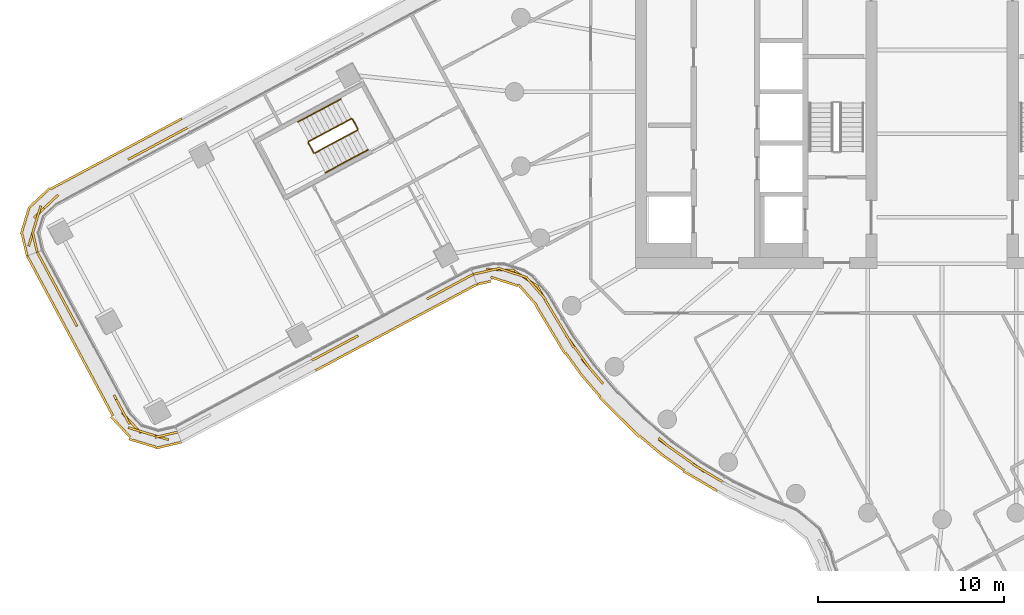
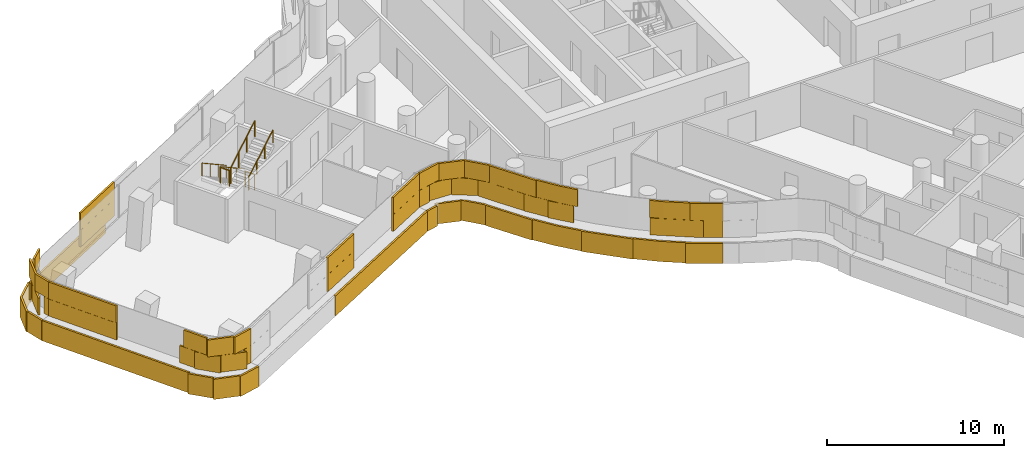
# One storey, part 27 of 33: 6 railings, 4 coverings.
"""IFC4 building model written with IfcOpenShell, lengths in metres."""

from ifc_helpers import new_model, si_unit, direction, frame, origin, origin_2d, place, context, subcontext, project, spatial, rectangle, circle, extrude, material, layer, layer_set, type_object, element, save


model = new_model("IFC4")

# Units and contexts
model_context = context("Model", 3, precision=1e-05, world=origin(), true_north=direction((0.0, 1.0)))
body_context = subcontext(model_context, "Body", "Model", "MODEL_VIEW")
ifc_project = project(units=[si_unit("LENGTHUNIT", "METRE"), si_unit("AREAUNIT", "SQUARE_METRE"), si_unit("VOLUMEUNIT", "CUBIC_METRE"), si_unit("PLANEANGLEUNIT", "RADIAN"), si_unit("MASSUNIT", "GRAM", prefix="KILO")], contexts=[model_context])

# Site, building, storey
site_placement = place(None, origin())
site = spatial("IfcSite", under=ifc_project, at=site_placement, CompositionType="ELEMENT")
building_placement = place(site_placement, origin())
building = spatial("IfcBuilding", under=site, at=building_placement, Name="Tamarind Cross Interchange Tower", CompositionType="ELEMENT")
storey_placement = place(building_placement, frame((0.0, 0.0, 136.75)))
storey = spatial("IfcBuildingStorey", under=building, at=storey_placement, Name="L33", CompositionType="ELEMENT", Elevation=136.75)

# Railings
ifc_material_1 = material(Name="Stair guard")
railing_type_1 = type_object("IfcRailingType", Name="Stair guard", PredefinedType="GUARDRAIL", material=ifc_material_1)
railing_1_placement = place(storey_placement, frame((-31.77880859375, -1.444091796875, 0.17041015625)))
element("IfcRailing", 1, at=railing_1_placement, inside=storey, type_object=railing_type_1, Name="L33 ST5 stair guard 1", PredefinedType="GUARDRAIL", context=body_context, shape_type="SweptSolid", body=[
    extrude(circle(Radius=0.02392578125, at=origin_2d()), frame((0.0, 0.0, 1.076171875), z_axis=(-0.73697387302, -0.395303833434, 0.548274009742), x_axis=(0.47268255552, -0.88123277385, 0.0)), (0.0, 0.0, 1.0), 3.109130859375),
    extrude(circle(Radius=0.02099609375, at=origin_2d()), origin(), (0.0, 0.0, 1.0), 1.052001953125),
    extrude(circle(Radius=0.02099609375, at=origin_2d()), frame((-0.763671875, -0.40966796875, 0.568115234375)), (0.0, 0.0, 1.0), 1.052001953125),
    extrude(circle(Radius=0.02099609375, at=origin_2d()), frame((-1.527587890625, -0.8193359375, 1.136474609375)), (0.0, 0.0, 1.0), 1.052001953125),
    extrude(circle(Radius=0.02099609375, at=origin_2d()), frame((-2.291259765625, -1.22900390625, 1.70458984375)), (0.0, 0.0, 1.0), 1.052001953125),
])
railing_2_placement = place(storey_placement, frame((-34.090576171875, -2.74072265625, 1.875)))
element("IfcRailing", 2, at=railing_2_placement, inside=storey, type_object=railing_type_1, Name="L33 ST5 stair guard 2", PredefinedType="GUARDRAIL", context=body_context, shape_type="SweptSolid", body=[
    extrude(circle(Radius=0.02392578125, at=origin_2d()), frame((0.0, 0.0, 1.076171875), z_axis=(0.472740658305, -0.881201605755, 0.0), x_axis=(0.881201605755, 0.472740658305, 0.0)), (0.0, 0.0, 1.0), 0.60009765625),
    extrude(circle(Radius=0.02099609375, at=origin_2d()), origin(), (0.0, 0.0, 1.0), 1.052001953125),
    extrude(circle(Radius=0.02099609375, at=origin_2d()), frame((0.28369140625, -0.52880859375, 0.0)), (0.0, 0.0, 1.0), 1.052001953125),
])
railing_3_placement = place(storey_placement, frame((-33.7392578125, -3.289794921875, 2.04541015625)))
element("IfcRailing", 3, at=railing_3_placement, inside=storey, type_object=railing_type_1, Name="L33 ST5 stair guard 3", PredefinedType="GUARDRAIL", context=body_context, shape_type="SweptSolid", body=[
    extrude(circle(Radius=0.02392578125, at=origin_2d()), frame((0.0, 0.0, 1.076171875), z_axis=(0.73697387302, 0.395303833434, 0.548274009742), x_axis=(-0.47268255552, 0.88123277385, 0.0)), (0.0, 0.0, 1.0), 3.109130859375),
    extrude(circle(Radius=0.02099609375, at=origin_2d()), origin(), (0.0, 0.0, 1.0), 1.052001953125),
    extrude(circle(Radius=0.02099609375, at=origin_2d()), frame((0.763671875, 0.40966796875, 0.568115234375)), (0.0, 0.0, 1.0), 1.052001953125),
    extrude(circle(Radius=0.02099609375, at=origin_2d()), frame((1.527587890625, 0.8193359375, 1.136474609375)), (0.0, 0.0, 1.0), 1.052001953125),
    extrude(circle(Radius=0.02099609375, at=origin_2d()), frame((2.291259765625, 1.22900390625, 1.70458984375)), (0.0, 0.0, 1.0), 1.052001953125),
])
railing_4_placement = place(storey_placement, frame((-31.711181640625, -1.46435546875, 0.0)))
element("IfcRailing", 4, at=railing_4_placement, inside=storey, type_object=railing_type_1, Name="L33 ST5 stair guard 4", PredefinedType="GUARDRAIL", context=body_context, shape_type="SweptSolid", body=[
    extrude(circle(Radius=0.02392578125, at=origin_2d()), frame((0.0, 0.0, 1.076171875), z_axis=(0.472740658305, -0.881201605755, 0.0), x_axis=(0.881201605755, 0.472740658305, 0.0)), (0.0, 0.0, 1.0), 0.60009765625),
    extrude(circle(Radius=0.02099609375, at=origin_2d()), origin(), (0.0, 0.0, 1.0), 1.052001953125),
    extrude(circle(Radius=0.02099609375, at=origin_2d()), frame((0.28369140625, -0.52880859375, 0.0)), (0.0, 0.0, 1.0), 1.052001953125),
])
ifc_material_2 = material(Name="Stair handrail")
railing_type_2 = type_object("IfcRailingType", Name="Stair handrail", PredefinedType="HANDRAIL", material=ifc_material_2)
railing_5_placement = place(storey_placement, frame((-32.34619140625, -0.386474609375, 0.17041015625)))
element("IfcRailing", 5, at=railing_5_placement, inside=storey, type_object=railing_type_2, Name="L33 ST5 stair handrail 1", PredefinedType="HANDRAIL", context=body_context, shape_type="SweptSolid", body=[
    extrude(circle(Radius=0.02392578125, at=origin_2d()), frame((0.0, 0.0, 0.8759765625), z_axis=(-0.73697387302, -0.395303833434, 0.548274009742), x_axis=(0.47268255552, -0.88123277385, 0.0)), (0.0, 0.0, 1.0), 3.109130859375),
    extrude(circle(Radius=0.02099609375, at=origin_2d()), origin(), (0.0, 0.0, 1.0), 0.851806640625),
    extrude(circle(Radius=0.02099609375, at=origin_2d()), frame((-0.763671875, -0.40966796875, 0.568115234375)), (0.0, 0.0, 1.0), 0.851806640625),
    extrude(circle(Radius=0.02099609375, at=origin_2d()), frame((-1.527587890625, -0.8193359375, 1.136474609375)), (0.0, 0.0, 1.0), 0.851806640625),
    extrude(circle(Radius=0.02099609375, at=origin_2d()), frame((-2.291259765625, -1.22900390625, 1.70458984375)), (0.0, 0.0, 1.0), 0.851806640625),
])
railing_6_placement = place(storey_placement, frame((-33.171875, -4.347412109375, 2.04541015625)))
element("IfcRailing", 6, at=railing_6_placement, inside=storey, type_object=railing_type_2, Name="L33 ST5 stair handrail 2", PredefinedType="HANDRAIL", context=body_context, shape_type="SweptSolid", body=[
    extrude(circle(Radius=0.02392578125, at=origin_2d()), frame((0.0, 0.0, 0.8759765625), z_axis=(0.736937993412, 0.395326711299, 0.548305740622), x_axis=(-0.472721670882, 0.881211791727, 0.0)), (0.0, 0.0, 1.0), 3.10888671875),
    extrude(circle(Radius=0.02099609375, at=origin_2d()), origin(), (0.0, 0.0, 1.0), 0.851806640625),
    extrude(circle(Radius=0.02099609375, at=origin_2d()), frame((0.763671875, 0.40966796875, 0.568115234375)), (0.0, 0.0, 1.0), 0.851806640625),
    extrude(circle(Radius=0.02099609375, at=origin_2d()), frame((1.52734375, 0.8193359375, 1.136474609375)), (0.0, 0.0, 1.0), 0.851806640625),
    extrude(circle(Radius=0.02099609375, at=origin_2d()), frame((2.291015625, 1.22900390625, 1.70458984375)), (0.0, 0.0, 1.0), 0.851806640625),
])

# Coverings
ifc_material_3 = material(Name="Terracotta", Category="masonry")
ifc_layer = layer(ifc_material_3, 0.1201171875)
ifc_layer_set = layer_set([ifc_layer], Name="Terracotta")
covering_type = type_object("IfcCoveringType", Name="Terracotta baguette screen unit", PredefinedType="MOLDING", material=ifc_layer_set)
covering_1_placement = place(storey_placement, origin())
element("IfcCovering", 7, at=covering_1_placement, inside=storey, type_object=covering_type, Name="SCR-L33-03-02", PredefinedType="MOLDING", context=body_context, shape_type="SweptSolid", body=[
    extrude(rectangle(XDim=0.606201171875, YDim=0.1201171875, at=origin_2d()), frame((-40.86474609375, -2.073486328125, 1.404052734375), z_axis=(0.0, 0.0, 1.0), x_axis=(-0.881224263054, -0.472698422046, 0.0)), (0.0, 0.0, 1.0), 1.1669921875),
    extrude(rectangle(XDim=1.52001953125, YDim=0.1201171875, at=origin_2d()), frame((-41.788330078125, -2.569091796875, 1.404052734375), z_axis=(0.0, 0.0, 1.0), x_axis=(-0.881224263054, -0.472698422046, 0.0)), (0.0, 0.0, 1.0), 1.1669921875),
    extrude(rectangle(XDim=1.52001953125, YDim=0.1201171875, at=origin_2d()), frame((-43.110107421875, -3.278076171875, 1.404052734375), z_axis=(0.0, 0.0, 1.0), x_axis=(-0.881224263054, -0.472698422046, 0.0)), (0.0, 0.0, 1.0), 1.1669921875),
    extrude(rectangle(XDim=1.52001953125, YDim=0.1201171875, at=origin_2d()), frame((-48.298095703125, -6.252685546875, 1.404052734375), z_axis=(0.0, 0.0, 1.0), x_axis=(-0.728853920221, -0.684669236185, 0.0)), (0.0, 0.0, 1.0), 1.1669921875),
    extrude(rectangle(XDim=1.52001953125, YDim=0.1201171875, at=origin_2d()), frame((-48.915771484375, -7.574462890625, 1.404052734375), z_axis=(0.0, 0.0, 1.0), x_axis=(-0.288871392467, -0.957367911837, 0.0)), (0.0, 0.0, 1.0), 1.1669921875),
    extrude(rectangle(XDim=0.33349609375, YDim=0.1201171875, at=origin_2d()), frame((-48.70849609375, -8.462158203125, 1.404052734375), z_axis=(0.0, 0.0, 1.0), x_axis=(0.228513991615, -0.973540628652, 0.0)), (0.0, 0.0, 1.0), 1.1669921875),
    extrude(rectangle(XDim=1.356201171875, YDim=0.1201171875, at=origin_2d()), frame((-41.195068359375, -2.2509765625, 2.5791015625), z_axis=(0.0, 0.0, 1.0), x_axis=(-0.881224263054, -0.472698422046, 0.0)), (0.0, 0.0, 1.0), 1.1669921875),
    extrude(rectangle(XDim=1.52001953125, YDim=0.1201171875, at=origin_2d()), frame((-42.44921875, -2.923583984375, 2.5791015625), z_axis=(0.0, 0.0, 1.0), x_axis=(-0.881224263054, -0.472698422046, 0.0)), (0.0, 0.0, 1.0), 1.1669921875),
    extrude(rectangle(XDim=0.773681640625, YDim=0.1201171875, at=origin_2d()), frame((-43.446533203125, -3.45849609375, 2.5791015625), z_axis=(0.0, 0.0, 1.0), x_axis=(-0.881224263054, -0.472698422046, 0.0)), (0.0, 0.0, 1.0), 1.1669921875),
    extrude(rectangle(XDim=1.04638671875, YDim=0.1201171875, at=origin_2d()), frame((-47.92041015625, -5.897705078125, 2.5791015625), z_axis=(0.0, 0.0, 1.0), x_axis=(-0.728853920221, -0.684669236185, 0.0)), (0.0, 0.0, 1.0), 1.1669921875),
    extrude(rectangle(XDim=1.52001953125, YDim=0.1201171875, at=origin_2d()), frame((-48.698974609375, -6.8564453125, 2.5791015625), z_axis=(0.0, 0.0, 1.0), x_axis=(-0.288871392467, -0.957367911837, 0.0)), (0.0, 0.0, 1.0), 1.1669921875),
    extrude(rectangle(XDim=1.08349609375, YDim=0.1201171875, at=origin_2d()), frame((-48.794189453125, -8.096923828125, 2.5791015625), z_axis=(0.0, 0.0, 1.0), x_axis=(0.228513991615, -0.973540628652, 0.0)), (0.0, 0.0, 1.0), 1.1669921875),
    extrude(rectangle(XDim=0.530517578125, YDim=0.1201171875, at=origin_2d()), frame((-41.140625, -1.5703125, 0.00390625), z_axis=(0.0, 0.0, 1.0), x_axis=(-0.881224263054, -0.472698422046, 0.0)), (0.0, 0.0, 1.0), 1.39208984375),
    extrude(rectangle(XDim=1.52001953125, YDim=0.1201171875, at=origin_2d()), frame((-42.026611328125, -2.04541015625, 0.00390625), z_axis=(0.0, 0.0, 1.0), x_axis=(-0.881224263054, -0.472698422046, 0.0)), (0.0, 0.0, 1.0), 1.39208984375),
    extrude(rectangle(XDim=1.52001953125, YDim=0.1201171875, at=origin_2d()), frame((-43.348388671875, -2.75439453125, 0.00390625), z_axis=(0.0, 0.0, 1.0), x_axis=(-0.881224263054, -0.472698422046, 0.0)), (0.0, 0.0, 1.0), 1.39208984375),
    extrude(rectangle(XDim=1.52001953125, YDim=0.1201171875, at=origin_2d()), frame((-44.670166015625, -3.463623046875, 0.00390625), z_axis=(0.0, 0.0, 1.0), x_axis=(-0.881224263054, -0.472698422046, 0.0)), (0.0, 0.0, 1.0), 1.39208984375),
    extrude(rectangle(XDim=1.52001953125, YDim=0.1201171875, at=origin_2d()), frame((-45.991943359375, -4.172607421875, 0.00390625), z_axis=(0.0, 0.0, 1.0), x_axis=(-0.881224263054, -0.472698422046, 0.0)), (0.0, 0.0, 1.0), 1.39208984375),
    extrude(rectangle(XDim=1.52001953125, YDim=0.1201171875, at=origin_2d()), frame((-47.31396484375, -4.881591796875, 0.00390625), z_axis=(0.0, 0.0, 1.0), x_axis=(-0.881224263054, -0.472698422046, 0.0)), (0.0, 0.0, 1.0), 1.39208984375),
    extrude(rectangle(XDim=1.52001953125, YDim=0.1201171875, at=origin_2d()), frame((-48.553466796875, -5.705078125, 0.00390625), z_axis=(0.0, 0.0, 1.0), x_axis=(-0.728853920221, -0.684669236185, 0.0)), (0.0, 0.0, 1.0), 1.39208984375),
    extrude(rectangle(XDim=1.52001953125, YDim=0.1201171875, at=origin_2d()), frame((-49.32177734375, -6.933349609375, 0.00390625), z_axis=(0.0, 0.0, 1.0), x_axis=(-0.288871392467, -0.957367911837, 0.0)), (0.0, 0.0, 1.0), 1.39208984375),
    extrude(rectangle(XDim=1.213134765625, YDim=0.1201171875, at=origin_2d()), frame((-49.3515625, -8.23388671875, 0.00390625), z_axis=(0.0, 0.0, 1.0), x_axis=(0.228513991615, -0.973540628652, 0.0)), (0.0, 0.0, 1.0), 1.39208984375),
])
covering_2_placement = place(storey_placement, origin())
element("IfcCovering", 8, at=covering_2_placement, inside=storey, type_object=covering_type, Name="SCR-L33-04-00", PredefinedType="MOLDING", context=body_context, shape_type="SweptSolid", body=[
    extrude(rectangle(XDim=0.760009765625, YDim=0.1201171875, at=origin_2d()), frame((-48.494140625, -8.949951171875, 1.404052734375), z_axis=(0.0, 0.0, 1.0), x_axis=(0.472698422046, -0.881224263054, 0.0)), (0.0, 0.0, 1.0), 1.1669921875),
    extrude(rectangle(XDim=1.52001953125, YDim=0.1201171875, at=origin_2d()), frame((-47.96240234375, -9.94140625, 1.404052734375), z_axis=(0.0, 0.0, 1.0), x_axis=(0.472698422046, -0.881224263054, 0.0)), (0.0, 0.0, 1.0), 1.1669921875),
    extrude(rectangle(XDim=1.52001953125, YDim=0.1201171875, at=origin_2d()), frame((-47.25341796875, -11.26318359375, 1.404052734375), z_axis=(0.0, 0.0, 1.0), x_axis=(0.472698422046, -0.881224263054, 0.0)), (0.0, 0.0, 1.0), 1.1669921875),
    extrude(rectangle(XDim=0.784912109375, YDim=0.1201171875, at=origin_2d()), frame((-46.7158203125, -12.265625, 1.404052734375), z_axis=(0.0, 0.0, 1.0), x_axis=(0.472698422046, -0.881224263054, 0.0)), (0.0, 0.0, 1.0), 1.1669921875),
    extrude(rectangle(XDim=1.03515625, YDim=0.1201171875, at=origin_2d()), frame((-44.304931640625, -16.759765625, 1.404052734375), z_axis=(0.0, 0.0, 1.0), x_axis=(0.472698422046, -0.881224263054, 0.0)), (0.0, 0.0, 1.0), 1.1669921875),
    extrude(rectangle(XDim=1.52001953125, YDim=0.1201171875, at=origin_2d()), frame((-43.607177734375, -17.7998046875, 1.404052734375), z_axis=(0.0, 0.0, 1.0), x_axis=(0.684669236185, -0.728853920221, 0.0)), (0.0, 0.0, 1.0), 1.1669921875),
    extrude(rectangle(XDim=1.52001953125, YDim=0.1201171875, at=origin_2d()), frame((-42.33349609375, -18.494873046875, 1.404052734375), z_axis=(0.0, 0.0, 1.0), x_axis=(0.957367911837, -0.288871392467, 0.0)), (0.0, 0.0, 1.0), 1.1669921875),
    extrude(rectangle(XDim=0.509521484375, YDim=0.1201171875, at=origin_2d()), frame((-41.363037109375, -18.358642578125, 1.404052734375), z_axis=(0.0, 0.0, 1.0), x_axis=(0.973540628652, 0.228513991615, 0.0)), (0.0, 0.0, 1.0), 1.1669921875),
    extrude(rectangle(XDim=1.510009765625, YDim=0.1201171875, at=origin_2d()), frame((-48.31689453125, -9.280517578125, 2.5791015625), z_axis=(0.0, 0.0, 1.0), x_axis=(0.472698422046, -0.881224263054, 0.0)), (0.0, 0.0, 1.0), 1.1669921875),
    extrude(rectangle(XDim=1.52001953125, YDim=0.1201171875, at=origin_2d()), frame((-47.60791015625, -10.602294921875, 2.5791015625), z_axis=(0.0, 0.0, 1.0), x_axis=(0.472698422046, -0.881224263054, 0.0)), (0.0, 0.0, 1.0), 1.1669921875),
    extrude(rectangle(XDim=1.52001953125, YDim=0.1201171875, at=origin_2d()), frame((-46.89892578125, -11.924072265625, 2.5791015625), z_axis=(0.0, 0.0, 1.0), x_axis=(0.472698422046, -0.881224263054, 0.0)), (0.0, 0.0, 1.0), 1.1669921875),
    extrude(rectangle(XDim=1.52001953125, YDim=0.1201171875, at=origin_2d()), frame((-44.062744140625, -17.21142578125, 2.5791015625), z_axis=(0.0, 0.0, 1.0), x_axis=(0.472698422046, -0.881224263054, 0.0)), (0.0, 0.0, 1.0), 1.1669921875),
    extrude(rectangle(XDim=1.52001953125, YDim=0.1201171875, at=origin_2d()), frame((-43.051513671875, -18.2783203125, 2.5791015625), z_axis=(0.0, 0.0, 1.0), x_axis=(0.957367911837, -0.288871392467, 0.0)), (0.0, 0.0, 1.0), 1.1669921875),
    extrude(rectangle(XDim=1.259521484375, YDim=0.1201171875, at=origin_2d()), frame((-41.72802734375, -18.4443359375, 2.5791015625), z_axis=(0.0, 0.0, 1.0), x_axis=(0.973540628652, 0.228513991615, 0.0)), (0.0, 0.0, 1.0), 1.1669921875),
    extrude(rectangle(XDim=0.760009765625, YDim=0.1201171875, at=origin_2d()), frame((-49.033447265625, -9.1591796875, 0.00390625), z_axis=(0.0, 0.0, 1.0), x_axis=(0.472698422046, -0.881224263054, 0.0)), (0.0, 0.0, 1.0), 1.39208984375),
    extrude(rectangle(XDim=1.52001953125, YDim=0.1201171875, at=origin_2d()), frame((-48.50390625, -10.14599609375, 0.00390625), z_axis=(0.0, 0.0, 1.0), x_axis=(0.472698422046, -0.881224263054, 0.0)), (0.0, 0.0, 1.0), 1.39208984375),
    extrude(rectangle(XDim=1.52001953125, YDim=0.1201171875, at=origin_2d()), frame((-47.794921875, -11.468017578125, 0.00390625), z_axis=(0.0, 0.0, 1.0), x_axis=(0.472698422046, -0.881224263054, 0.0)), (0.0, 0.0, 1.0), 1.39208984375),
    extrude(rectangle(XDim=1.52001953125, YDim=0.1201171875, at=origin_2d()), frame((-47.0859375, -12.789794921875, 0.00390625), z_axis=(0.0, 0.0, 1.0), x_axis=(0.472698422046, -0.881224263054, 0.0)), (0.0, 0.0, 1.0), 1.39208984375),
    extrude(rectangle(XDim=1.52001953125, YDim=0.1201171875, at=origin_2d()), frame((-46.376953125, -14.111572265625, 0.00390625), z_axis=(0.0, 0.0, 1.0), x_axis=(0.472698422046, -0.881224263054, 0.0)), (0.0, 0.0, 1.0), 1.39208984375),
    extrude(rectangle(XDim=1.52001953125, YDim=0.1201171875, at=origin_2d()), frame((-45.667724609375, -15.433349609375, 0.00390625), z_axis=(0.0, 0.0, 1.0), x_axis=(0.472698422046, -0.881224263054, 0.0)), (0.0, 0.0, 1.0), 1.39208984375),
    extrude(rectangle(XDim=1.52001953125, YDim=0.1201171875, at=origin_2d()), frame((-44.958740234375, -16.75537109375, 0.00390625), z_axis=(0.0, 0.0, 1.0), x_axis=(0.472698422046, -0.881224263054, 0.0)), (0.0, 0.0, 1.0), 1.39208984375),
    extrude(rectangle(XDim=1.52001953125, YDim=0.1201171875, at=origin_2d()), frame((-44.180908203125, -18.027587890625, 0.00390625), z_axis=(0.0, 0.0, 1.0), x_axis=(0.684669236185, -0.728853920221, 0.0)), (0.0, 0.0, 1.0), 1.39208984375),
    extrude(rectangle(XDim=1.52001953125, YDim=0.1201171875, at=origin_2d()), frame((-43.0107421875, -18.89013671875, 0.00390625), z_axis=(0.0, 0.0, 1.0), x_axis=(0.957367911837, -0.288871392467, 0.0)), (0.0, 0.0, 1.0), 1.39208984375),
    extrude(rectangle(XDim=1.426513671875, YDim=0.1201171875, at=origin_2d()), frame((-41.60986328125, -19.00634765625, 0.00390625), z_axis=(0.0, 0.0, 1.0), x_axis=(0.973540628652, 0.228513991615, 0.0)), (0.0, 0.0, 1.0), 1.39208984375),
])
covering_3_placement = place(storey_placement, origin())
element("IfcCovering", 9, at=covering_3_placement, inside=storey, type_object=covering_type, Name="SCR-L33-05-01", PredefinedType="MOLDING", context=body_context, shape_type="SweptSolid", body=[
    extrude(rectangle(XDim=0.072021484375, YDim=0.1201171875, at=origin_2d()), frame((-33.869384765625, -14.430908203125, 1.404052734375), z_axis=(0.0, 0.0, 1.0), x_axis=(0.88215520934, 0.47095879505, 0.0)), (0.0, 0.0, 1.0), 1.1669921875),
    extrude(rectangle(XDim=1.52001953125, YDim=0.1201171875, at=origin_2d()), frame((-33.180419921875, -14.06298828125, 1.404052734375), z_axis=(0.0, 0.0, 1.0), x_axis=(0.88215520934, 0.47095879505, 0.0)), (0.0, 0.0, 1.0), 1.1669921875),
    extrude(rectangle(XDim=1.26416015625, YDim=0.1201171875, at=origin_2d()), frame((-31.965576171875, -13.41455078125, 1.404052734375), z_axis=(0.0, 0.0, 1.0), x_axis=(0.88215520934, 0.47095879505, 0.0)), (0.0, 0.0, 1.0), 1.1669921875),
    extrude(rectangle(XDim=0.5556640625, YDim=0.1201171875, at=origin_2d()), frame((-27.466552734375, -11.012451171875, 1.404052734375), z_axis=(0.0, 0.0, 1.0), x_axis=(0.88215520934, 0.47095879505, 0.0)), (0.0, 0.0, 1.0), 1.1669921875),
    extrude(rectangle(XDim=1.52001953125, YDim=0.1201171875, at=origin_2d()), frame((-26.564208984375, -10.53076171875, 1.404052734375), z_axis=(0.0, 0.0, 1.0), x_axis=(0.88215520934, 0.47095879505, 0.0)), (0.0, 0.0, 1.0), 1.1669921875),
    extrude(rectangle(XDim=0.780517578125, YDim=0.1201171875, at=origin_2d()), frame((-25.562744140625, -9.99609375, 1.404052734375), z_axis=(0.0, 0.0, 1.0), x_axis=(0.88215520934, 0.47095879505, 0.0)), (0.0, 0.0, 1.0), 1.1669921875),
    extrude(rectangle(XDim=0.822021484375, YDim=0.1201171875, at=origin_2d()), frame((-33.53857421875, -14.254150390625, 2.5791015625), z_axis=(0.0, 0.0, 1.0), x_axis=(0.88215520934, 0.47095879505, 0.0)), (0.0, 0.0, 1.0), 1.1669921875),
    extrude(rectangle(XDim=1.52001953125, YDim=0.1201171875, at=origin_2d()), frame((-32.518798828125, -13.709716796875, 2.5791015625), z_axis=(0.0, 0.0, 1.0), x_axis=(0.88215520934, 0.47095879505, 0.0)), (0.0, 0.0, 1.0), 1.1669921875),
    extrude(rectangle(XDim=0.51416015625, YDim=0.1201171875, at=origin_2d()), frame((-31.634765625, -13.23779296875, 2.5791015625), z_axis=(0.0, 0.0, 1.0), x_axis=(0.88215520934, 0.47095879505, 0.0)), (0.0, 0.0, 1.0), 1.1669921875),
    extrude(rectangle(XDim=1.3056640625, YDim=0.1201171875, at=origin_2d()), frame((-27.1357421875, -10.8359375, 2.5791015625), z_axis=(0.0, 0.0, 1.0), x_axis=(0.88215520934, 0.47095879505, 0.0)), (0.0, 0.0, 1.0), 1.1669921875),
    extrude(rectangle(XDim=1.52001953125, YDim=0.1201171875, at=origin_2d()), frame((-25.902587890625, -10.177734375, 2.5791015625), z_axis=(0.0, 0.0, 1.0), x_axis=(0.88215520934, 0.47095879505, 0.0)), (0.0, 0.0, 1.0), 1.1669921875),
    extrude(rectangle(XDim=0.030517578125, YDim=0.1201171875, at=origin_2d()), frame((-25.23193359375, -9.819580078125, 2.5791015625), z_axis=(0.0, 0.0, 1.0), x_axis=(0.88215520934, 0.47095879505, 0.0)), (0.0, 0.0, 1.0), 1.1669921875),
    extrude(rectangle(XDim=0.072998046875, YDim=0.1201171875, at=origin_2d()), frame((-33.6611328125, -14.970458984375, 0.00390625), z_axis=(0.0, 0.0, 1.0), x_axis=(0.88215520934, 0.47095879505, 0.0)), (0.0, 0.0, 1.0), 1.39208984375),
    extrude(rectangle(XDim=1.52001953125, YDim=0.1201171875, at=origin_2d()), frame((-32.97607421875, -14.604736328125, 0.00390625), z_axis=(0.0, 0.0, 1.0), x_axis=(0.88215520934, 0.47095879505, 0.0)), (0.0, 0.0, 1.0), 1.39208984375),
    extrude(rectangle(XDim=1.52001953125, YDim=0.1201171875, at=origin_2d()), frame((-31.653076171875, -13.898193359375, 0.00390625), z_axis=(0.0, 0.0, 1.0), x_axis=(0.88215520934, 0.47095879505, 0.0)), (0.0, 0.0, 1.0), 1.39208984375),
    extrude(rectangle(XDim=1.52001953125, YDim=0.1201171875, at=origin_2d()), frame((-30.329833984375, -13.19189453125, 0.00390625), z_axis=(0.0, 0.0, 1.0), x_axis=(0.88215520934, 0.47095879505, 0.0)), (0.0, 0.0, 1.0), 1.39208984375),
    extrude(rectangle(XDim=1.52001953125, YDim=0.1201171875, at=origin_2d()), frame((-29.006591796875, -12.4853515625, 0.00390625), z_axis=(0.0, 0.0, 1.0), x_axis=(0.88215520934, 0.47095879505, 0.0)), (0.0, 0.0, 1.0), 1.39208984375),
    extrude(rectangle(XDim=1.52001953125, YDim=0.1201171875, at=origin_2d()), frame((-27.683349609375, -11.779052734375, 0.00390625), z_axis=(0.0, 0.0, 1.0), x_axis=(0.88215520934, 0.47095879505, 0.0)), (0.0, 0.0, 1.0), 1.39208984375),
    extrude(rectangle(XDim=1.52001953125, YDim=0.1201171875, at=origin_2d()), frame((-26.360107421875, -11.072509765625, 0.00390625), z_axis=(0.0, 0.0, 1.0), x_axis=(0.88215520934, 0.47095879505, 0.0)), (0.0, 0.0, 1.0), 1.39208984375),
    extrude(rectangle(XDim=0.77880859375, YDim=0.1201171875, at=origin_2d()), frame((-25.36376953125, -10.54052734375, 0.00390625), z_axis=(0.0, 0.0, 1.0), x_axis=(0.88215520934, 0.47095879505, 0.0)), (0.0, 0.0, 1.0), 1.39208984375),
])
covering_4_placement = place(storey_placement, origin())
element("IfcCovering", 10, at=covering_4_placement, inside=storey, type_object=covering_type, Name="SCR-L33-06-00", PredefinedType="MOLDING", context=body_context, shape_type="SweptSolid", body=[
    extrude(rectangle(XDim=0.760009765625, YDim=0.1201171875, at=origin_2d()), frame((-24.857177734375, -9.731201171875, 1.404052734375), z_axis=(0.0, 0.0, 1.0), x_axis=(0.974955236893, 0.222401182673, 0.0)), (0.0, 0.0, 1.0), 1.1669921875),
    extrude(rectangle(XDim=1.52001953125, YDim=0.1201171875, at=origin_2d()), frame((-23.752197265625, -9.5712890625, 1.404052734375), z_axis=(0.0, 0.0, 1.0), x_axis=(0.999041059942, -0.04378310804, 0.0)), (0.0, 0.0, 1.0), 1.1669921875),
    extrude(rectangle(XDim=1.52001953125, YDim=0.1201171875, at=origin_2d()), frame((-22.353759765625, -10.06689453125, 1.404052734375), z_axis=(0.0, 0.0, 1.0), x_axis=(0.836492999444, -0.547977610747, 0.0)), (0.0, 0.0, 1.0), 1.1669921875),
    extrude(rectangle(XDim=1.52001953125, YDim=0.1201171875, at=origin_2d()), frame((-21.355224609375, -11.173583984375, 1.404052734375), z_axis=(0.0, 0.0, 1.0), x_axis=(0.503052470984, -0.864255871509, 0.0)), (0.0, 0.0, 1.0), 1.1669921875),
    extrude(rectangle(XDim=1.52001953125, YDim=0.1201171875, at=origin_2d()), frame((-20.58740234375, -12.462158203125, 1.404052734375), z_axis=(0.0, 0.0, 1.0), x_axis=(0.515577308909, -0.856843065292, 0.0)), (0.0, 0.0, 1.0), 1.1669921875),
    extrude(rectangle(XDim=1.52001953125, YDim=0.1201171875, at=origin_2d()), frame((-19.77490234375, -13.7216796875, 1.404052734375), z_axis=(0.0, 0.0, 1.0), x_axis=(0.584573890505, -0.811340475102, 0.0)), (0.0, 0.0, 1.0), 1.1669921875),
    extrude(rectangle(XDim=1.52001953125, YDim=0.1201171875, at=origin_2d()), frame((-18.892822265625, -14.934814453125, 1.404052734375), z_axis=(0.0, 0.0, 1.0), x_axis=(0.64957723968, -0.760295606781, 0.0)), (0.0, 0.0, 1.0), 1.1669921875),
    extrude(rectangle(XDim=1.52001953125, YDim=0.1201171875, at=origin_2d()), frame((-14.625732421875, -19.1318359375, 1.404052734375), z_axis=(0.0, 0.0, 1.0), x_axis=(0.816341886298, -0.577568978284, 0.0)), (0.0, 0.0, 1.0), 1.1669921875),
    extrude(rectangle(XDim=1.52001953125, YDim=0.1201171875, at=origin_2d()), frame((-13.4013671875, -19.998046875, 1.404052734375), z_axis=(0.0, 0.0, 1.0), x_axis=(0.816341886298, -0.577568978284, 0.0)), (0.0, 0.0, 1.0), 1.1669921875),
    extrude(rectangle(XDim=1.109375, YDim=0.1201171875, at=origin_2d()), frame((-12.29931640625, -20.685302734375, 1.404052734375), z_axis=(0.0, 0.0, 1.0), x_axis=(0.861248933065, -0.508183308752, 0.0)), (0.0, 0.0, 1.0), 1.1669921875),
    extrude(rectangle(XDim=1.510009765625, YDim=0.1201171875, at=origin_2d()), frame((-24.49169921875, -9.64794921875, 2.5791015625), z_axis=(0.0, 0.0, 1.0), x_axis=(0.974955236893, 0.222401182673, 0.0)), (0.0, 0.0, 1.0), 1.1669921875),
    extrude(rectangle(XDim=1.52001953125, YDim=0.1201171875, at=origin_2d()), frame((-23.031005859375, -9.76025390625, 2.5791015625), z_axis=(0.0, 0.0, 1.0), x_axis=(0.951761180616, -0.306839787304, 0.0)), (0.0, 0.0, 1.0), 1.1669921875),
    extrude(rectangle(XDim=1.52001953125, YDim=0.1201171875, at=origin_2d()), frame((-21.826416015625, -10.59326171875, 2.5791015625), z_axis=(0.0, 0.0, 1.0), x_axis=(0.661470607124, -0.74997109005, 0.0)), (0.0, 0.0, 1.0), 1.1669921875),
    extrude(rectangle(XDim=1.52001953125, YDim=0.1201171875, at=origin_2d()), frame((-20.97412109375, -11.819580078125, 2.5791015625), z_axis=(0.0, 0.0, 1.0), x_axis=(0.515577308909, -0.856843065292, 0.0)), (0.0, 0.0, 1.0), 1.1669921875),
    extrude(rectangle(XDim=1.52001953125, YDim=0.1201171875, at=origin_2d()), frame((-20.20068359375, -13.10498046875, 2.5791015625), z_axis=(0.0, 0.0, 1.0), x_axis=(0.515577308909, -0.856843065292, 0.0)), (0.0, 0.0, 1.0), 1.1669921875),
    extrude(rectangle(XDim=1.52001953125, YDim=0.1201171875, at=origin_2d()), frame((-19.33642578125, -14.330078125, 2.5791015625), z_axis=(0.0, 0.0, 1.0), x_axis=(0.584573890505, -0.811340475102, 0.0)), (0.0, 0.0, 1.0), 1.1669921875),
    extrude(rectangle(XDim=1.00927734375, YDim=0.1201171875, at=origin_2d()), frame((-18.568359375, -15.314697265625, 2.5791015625), z_axis=(0.0, 0.0, 1.0), x_axis=(0.64957723968, -0.760295606781, 0.0)), (0.0, 0.0, 1.0), 1.1669921875),
    extrude(rectangle(XDim=0.810546875, YDim=0.1201171875, at=origin_2d()), frame((-14.937744140625, -18.88134765625, 2.5791015625), z_axis=(0.0, 0.0, 1.0), x_axis=(0.765858396687, -0.643009266048, 0.0)), (0.0, 0.0, 1.0), 1.1669921875),
    extrude(rectangle(XDim=1.52001953125, YDim=0.1201171875, at=origin_2d()), frame((-14.013427734375, -19.56494140625, 2.5791015625), z_axis=(0.0, 0.0, 1.0), x_axis=(0.816341886298, -0.577568978284, 0.0)), (0.0, 0.0, 1.0), 1.1669921875),
    extrude(rectangle(XDim=1.52001953125, YDim=0.1201171875, at=origin_2d()), frame((-12.772705078125, -20.406005859375, 2.5791015625), z_axis=(0.0, 0.0, 1.0), x_axis=(0.861248933065, -0.508183308752, 0.0)), (0.0, 0.0, 1.0), 1.1669921875),
    extrude(rectangle(XDim=0.359375, YDim=0.1201171875, at=origin_2d()), frame((-11.976318359375, -20.8759765625, 2.5791015625), z_axis=(0.0, 0.0, 1.0), x_axis=(0.861248933065, -0.508183308752, 0.0)), (0.0, 0.0, 1.0), 1.1669921875),
    extrude(rectangle(XDim=0.760009765625, YDim=0.1201171875, at=origin_2d()), frame((-24.64990234375, -10.272705078125, 0.00390625), z_axis=(0.0, 0.0, 1.0), x_axis=(0.974955236893, 0.222401182673, 0.0)), (0.0, 0.0, 1.0), 1.39208984375),
    extrude(rectangle(XDim=1.52001953125, YDim=0.1201171875, at=origin_2d()), frame((-23.55322265625, -10.19482421875, 0.00390625), z_axis=(0.0, 0.0, 1.0), x_axis=(0.951761180616, -0.306839787304, 0.0)), (0.0, 0.0, 1.0), 1.39208984375),
    extrude(rectangle(XDim=1.52001953125, YDim=0.1201171875, at=origin_2d()), frame((-22.292724609375, -10.932373046875, 0.00390625), z_axis=(0.0, 0.0, 1.0), x_axis=(0.661470607124, -0.74997109005, 0.0)), (0.0, 0.0, 1.0), 1.39208984375),
    extrude(rectangle(XDim=1.52001953125, YDim=0.1201171875, at=origin_2d()), frame((-21.43994140625, -12.15869140625, 0.00390625), z_axis=(0.0, 0.0, 1.0), x_axis=(0.515577308909, -0.856843065292, 0.0)), (0.0, 0.0, 1.0), 1.39208984375),
    extrude(rectangle(XDim=1.52001953125, YDim=0.1201171875, at=origin_2d()), frame((-20.66650390625, -13.44384765625, 0.00390625), z_axis=(0.0, 0.0, 1.0), x_axis=(0.515577308909, -0.856843065292, 0.0)), (0.0, 0.0, 1.0), 1.39208984375),
    extrude(rectangle(XDim=1.52001953125, YDim=0.1201171875, at=origin_2d()), frame((-19.800537109375, -14.66796875, 0.00390625), z_axis=(0.0, 0.0, 1.0), x_axis=(0.584573890505, -0.811340475102, 0.0)), (0.0, 0.0, 1.0), 1.39208984375),
    extrude(rectangle(XDim=1.52001953125, YDim=0.1201171875, at=origin_2d()), frame((-18.87109375, -15.84375, 0.00390625), z_axis=(0.0, 0.0, 1.0), x_axis=(0.64957723968, -0.760295606781, 0.0)), (0.0, 0.0, 1.0), 1.39208984375),
    extrude(rectangle(XDim=1.52001953125, YDim=0.1201171875, at=origin_2d()), frame((-17.880615234375, -16.96923828125, 0.00390625), z_axis=(0.0, 0.0, 1.0), x_axis=(0.710143317658, -0.704057148523, 0.0)), (0.0, 0.0, 1.0), 1.39208984375),
    extrude(rectangle(XDim=1.52001953125, YDim=0.1201171875, at=origin_2d()), frame((-16.815185546875, -18.025390625, 0.00390625), z_axis=(0.0, 0.0, 1.0), x_axis=(0.710143317658, -0.704057148523, 0.0)), (0.0, 0.0, 1.0), 1.39208984375),
    extrude(rectangle(XDim=1.52001953125, YDim=0.1201171875, at=origin_2d()), frame((-15.681640625, -19.00634765625, 0.00390625), z_axis=(0.0, 0.0, 1.0), x_axis=(0.765858396687, -0.643009266048, 0.0)), (0.0, 0.0, 1.0), 1.39208984375),
    extrude(rectangle(XDim=1.52001953125, YDim=0.1201171875, at=origin_2d()), frame((-14.497802734375, -19.925537109375, 0.00390625), z_axis=(0.0, 0.0, 1.0), x_axis=(0.816341886298, -0.577568978284, 0.0)), (0.0, 0.0, 1.0), 1.39208984375),
    extrude(rectangle(XDim=1.52001953125, YDim=0.1201171875, at=origin_2d()), frame((-13.266357421875, -20.781005859375, 0.00390625), z_axis=(0.0, 0.0, 1.0), x_axis=(0.861248933065, -0.508183308752, 0.0)), (0.0, 0.0, 1.0), 1.39208984375),
    extrude(rectangle(XDim=0.605224609375, YDim=0.1201171875, at=origin_2d()), frame((-12.368408203125, -21.31103515625, 0.00390625), z_axis=(0.0, 0.0, 1.0), x_axis=(0.861248933065, -0.508183308752, 0.0)), (0.0, 0.0, 1.0), 1.39208984375),
])

save(model, "model.ifc")
